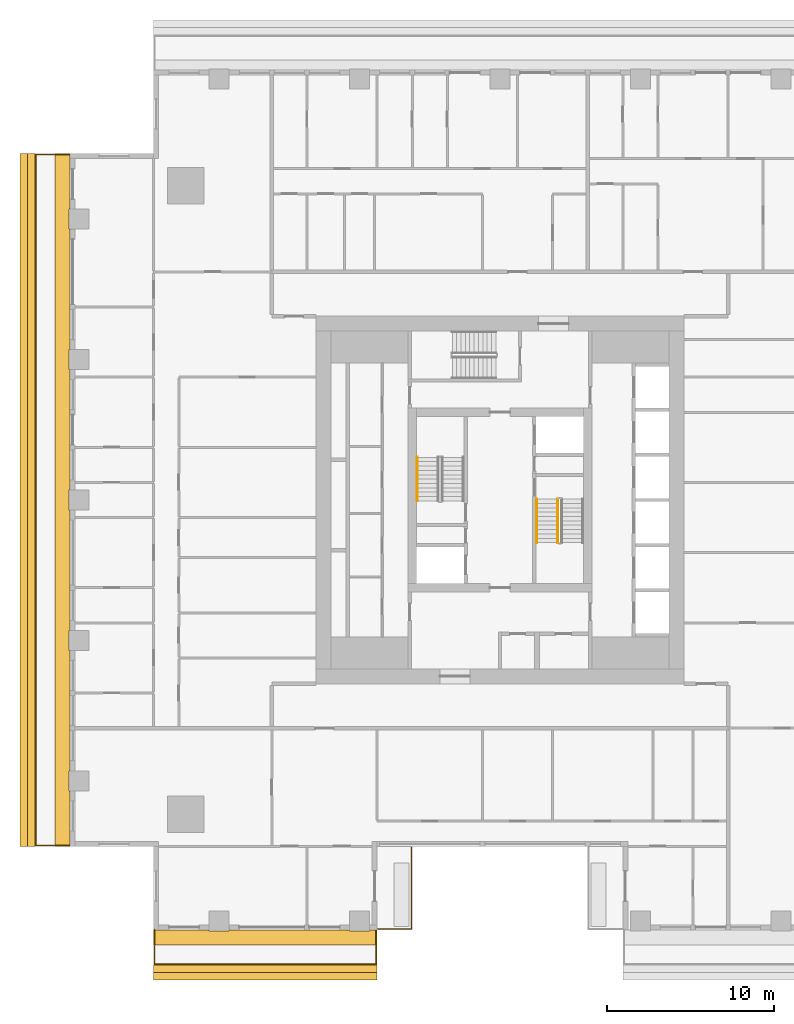
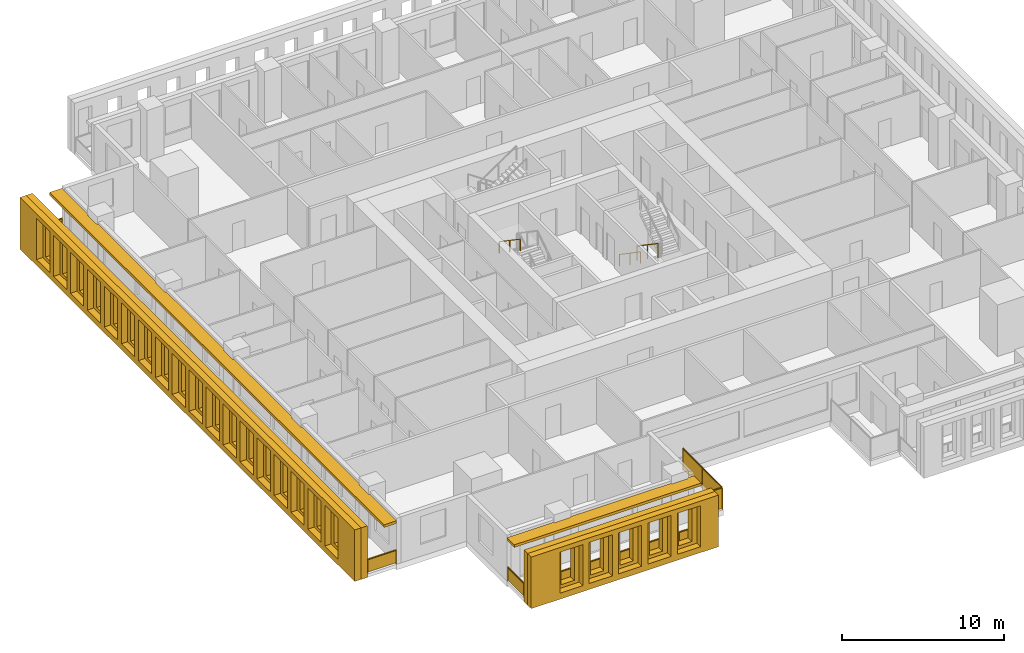
# One storey, part 11 of 15: 6 railings, 6 shading devices.
"""IFC4 building model written with IfcOpenShell, lengths in metres."""

from ifc_helpers import new_model, si_unit, direction, frame, origin, origin_2d, place, context, subcontext, project, spatial, polyline, rectangle, outline, extrude, material, layer, layer_set, type_object, element, save


model = new_model("IFC4")

# Units and contexts
model_context = context("Model", 3, precision=1e-05, world=origin(), true_north=direction((0.0, 1.0)))
body_context = subcontext(model_context, "Body", "Model", "MODEL_VIEW")
ifc_project = project(units=[si_unit("LENGTHUNIT", "METRE"), si_unit("AREAUNIT", "SQUARE_METRE"), si_unit("VOLUMEUNIT", "CUBIC_METRE"), si_unit("PLANEANGLEUNIT", "RADIAN"), si_unit("MASSUNIT", "GRAM", prefix="KILO")], contexts=[model_context])

# Site, building, storey
site_placement = place(None, origin())
site = spatial("IfcSite", under=ifc_project, at=site_placement, CompositionType="ELEMENT")
building_placement = place(site_placement, origin())
building = spatial("IfcBuilding", under=site, at=building_placement, Name="Khepri Terraces", CompositionType="ELEMENT")
storey_placement = place(building_placement, frame((0.0, 0.0, 256.199951171875)))
storey = spatial("IfcBuildingStorey", under=building, at=storey_placement, Name="L61", CompositionType="ELEMENT", Elevation=256.199951171875)

# Railings
ifc_material_1 = material(Name="Stainless steel grade 316", Category="steel")
railing_type_1 = type_object("IfcRailingType", Name="GRD-BAL-1100", PredefinedType="GUARDRAIL", material=ifc_material_1)
railing_1_placement = place(storey_placement, frame((-20.669921875, -25.719970703125, 0.0)))
element("IfcRailing", 1, at=railing_1_placement, inside=storey, type_object=railing_type_1, Name="Balcony guard L61 S", PredefinedType="GUARDRAIL", context=body_context, shape_type="SweptSolid", body=[
    extrude(rectangle(XDim=0.050048828125, YDim=0.06005859375, at=origin_2d()), frame((0.0, 0.0, 1.070068359375), z_axis=(0.0, -1.0, 0.0), x_axis=(1.0, 0.0, 0.0)), (0.0, 0.0, 1.0), 2.050048828125),
    extrude(rectangle(XDim=2.0, YDim=0.011962890625, at=origin_2d()), frame((0.0, -1.02490234375, 0.10009765625), z_axis=(0.0, 0.0, 1.0), x_axis=(0.0, -1.0, 0.0)), (0.0, 0.0, 1.0), 0.93994140625),
    extrude(rectangle(XDim=0.050048828125, YDim=0.06005859375, at=origin_2d()), frame((0.0, -2.050048828125, 1.070068359375), z_axis=(1.0, 0.0, 0.0), x_axis=(0.0, 1.0, 0.0)), (0.0, 0.0, 1.0), 13.27001953125),
    extrude(rectangle(XDim=2.16162109375, YDim=0.011962890625, at=origin_2d()), frame((1.10595703125, -2.050048828125, 0.10009765625), z_axis=(0.0, 0.0, 1.0), x_axis=(1.0, 0.0, 0.0)), (0.0, 0.0, 1.0), 0.93994140625),
    extrude(rectangle(XDim=2.16162109375, YDim=0.011962890625, at=origin_2d()), frame((3.3173828125, -2.050048828125, 0.10009765625), z_axis=(0.0, 0.0, 1.0), x_axis=(1.0, 0.0, 0.0)), (0.0, 0.0, 1.0), 0.93994140625),
    extrude(rectangle(XDim=2.16162109375, YDim=0.011962890625, at=origin_2d()), frame((5.529296875, -2.050048828125, 0.10009765625), z_axis=(0.0, 0.0, 1.0), x_axis=(1.0, 0.0, 0.0)), (0.0, 0.0, 1.0), 0.93994140625),
    extrude(rectangle(XDim=2.16162109375, YDim=0.011962890625, at=origin_2d()), frame((7.740966796875, -2.050048828125, 0.10009765625), z_axis=(0.0, 0.0, 1.0), x_axis=(1.0, 0.0, 0.0)), (0.0, 0.0, 1.0), 0.93994140625),
    extrude(rectangle(XDim=2.16162109375, YDim=0.011962890625, at=origin_2d()), frame((9.95263671875, -2.050048828125, 0.10009765625), z_axis=(0.0, 0.0, 1.0), x_axis=(1.0, 0.0, 0.0)), (0.0, 0.0, 1.0), 0.93994140625),
    extrude(rectangle(XDim=2.16162109375, YDim=0.011962890625, at=origin_2d()), frame((12.1640625, -2.050048828125, 0.10009765625), z_axis=(0.0, 0.0, 1.0), x_axis=(1.0, 0.0, 0.0)), (0.0, 0.0, 1.0), 0.93994140625),
    extrude(rectangle(XDim=0.050048828125, YDim=0.06005859375, at=origin_2d()), frame((13.27001953125, -2.050048828125, 1.070068359375), z_axis=(0.0, 1.0, 0.0), x_axis=(-1.0, 0.0, 0.0)), (0.0, 0.0, 1.0), 2.050048828125),
    extrude(rectangle(XDim=2.0, YDim=0.011962890625, at=origin_2d()), frame((13.27001953125, -1.02490234375, 0.10009765625), z_axis=(0.0, 0.0, 1.0), x_axis=(0.0, 1.0, 0.0)), (0.0, 0.0, 1.0), 0.93994140625),
    extrude(rectangle(XDim=0.050048828125, YDim=0.050048828125, at=origin_2d()), origin(), (0.0, 0.0, 1.0), 1.0400390625),
    extrude(rectangle(XDim=0.050048828125, YDim=0.050048828125, at=origin_2d()), frame((0.0, -2.050048828125, 0.0)), (0.0, 0.0, 1.0), 1.0400390625),
    extrude(rectangle(XDim=0.050048828125, YDim=0.050048828125, at=origin_2d()), frame((2.211669921875, -2.050048828125, 0.0)), (0.0, 0.0, 1.0), 1.0400390625),
    extrude(rectangle(XDim=0.050048828125, YDim=0.050048828125, at=origin_2d()), frame((4.42333984375, -2.050048828125, 0.0)), (0.0, 0.0, 1.0), 1.0400390625),
    extrude(rectangle(XDim=0.050048828125, YDim=0.050048828125, at=origin_2d()), frame((6.635009765625, -2.050048828125, 0.0)), (0.0, 0.0, 1.0), 1.0400390625),
    extrude(rectangle(XDim=0.050048828125, YDim=0.050048828125, at=origin_2d()), frame((8.8466796875, -2.050048828125, 0.0)), (0.0, 0.0, 1.0), 1.0400390625),
    extrude(rectangle(XDim=0.050048828125, YDim=0.050048828125, at=origin_2d()), frame((11.058349609375, -2.050048828125, 0.0)), (0.0, 0.0, 1.0), 1.0400390625),
    extrude(rectangle(XDim=0.050048828125, YDim=0.050048828125, at=origin_2d()), frame((13.27001953125, -2.050048828125, 0.0)), (0.0, 0.0, 1.0), 1.0400390625),
    extrude(rectangle(XDim=0.050048828125, YDim=0.050048828125, at=origin_2d()), frame((13.27001953125, 0.0, 0.0)), (0.0, 0.0, 1.0), 1.0400390625),
])
railing_2_placement = place(storey_placement, frame((-25.719970703125, 20.669921875, 0.0)))
element("IfcRailing", 2, at=railing_2_placement, inside=storey, type_object=railing_type_1, Name="Balcony guard L61 W", PredefinedType="GUARDRAIL", context=body_context, shape_type="SweptSolid", body=[
    extrude(rectangle(XDim=0.050048828125, YDim=0.06005859375, at=origin_2d()), frame((0.0, 0.0, 1.070068359375), z_axis=(-1.0, 0.0, 0.0), x_axis=(0.0, -1.0, 0.0)), (0.0, 0.0, 1.0), 2.050048828125),
    extrude(rectangle(XDim=2.0, YDim=0.011962890625, at=origin_2d()), frame((-1.02490234375, 0.0, 0.10009765625), z_axis=(0.0, 0.0, 1.0), x_axis=(-1.0, 0.0, 0.0)), (0.0, 0.0, 1.0), 0.93994140625),
    extrude(rectangle(XDim=0.050048828125, YDim=0.06005859375, at=origin_2d()), frame((-2.050048828125, 0.0, 1.070068359375), z_axis=(0.0, -1.0, 0.0), x_axis=(1.0, 0.0, 0.0)), (0.0, 0.0, 1.0), 41.33984375),
    extrude(rectangle(XDim=2.24658203125, YDim=0.011962890625, at=origin_2d()), frame((-2.050048828125, -1.1484375, 0.10009765625), z_axis=(0.0, 0.0, 1.0), x_axis=(0.0, -1.0, 0.0)), (0.0, 0.0, 1.0), 0.93994140625),
    extrude(rectangle(XDim=2.24658203125, YDim=0.011962890625, at=origin_2d()), frame((-2.050048828125, -3.445068359375, 0.10009765625), z_axis=(0.0, 0.0, 1.0), x_axis=(0.0, -1.0, 0.0)), (0.0, 0.0, 1.0), 0.93994140625),
    extrude(rectangle(XDim=2.24658203125, YDim=0.011962890625, at=origin_2d()), frame((-2.050048828125, -5.74169921875, 0.10009765625), z_axis=(0.0, 0.0, 1.0), x_axis=(0.0, -1.0, 0.0)), (0.0, 0.0, 1.0), 0.93994140625),
    extrude(rectangle(XDim=2.24658203125, YDim=0.011962890625, at=origin_2d()), frame((-2.050048828125, -8.038330078125, 0.10009765625), z_axis=(0.0, 0.0, 1.0), x_axis=(0.0, -1.0, 0.0)), (0.0, 0.0, 1.0), 0.93994140625),
    extrude(rectangle(XDim=2.24658203125, YDim=0.011962890625, at=origin_2d()), frame((-2.050048828125, -10.3349609375, 0.10009765625), z_axis=(0.0, 0.0, 1.0), x_axis=(0.0, -1.0, 0.0)), (0.0, 0.0, 1.0), 0.93994140625),
    extrude(rectangle(XDim=2.24658203125, YDim=0.011962890625, at=origin_2d()), frame((-2.050048828125, -12.631591796875, 0.10009765625), z_axis=(0.0, 0.0, 1.0), x_axis=(0.0, -1.0, 0.0)), (0.0, 0.0, 1.0), 0.93994140625),
    extrude(rectangle(XDim=2.24658203125, YDim=0.011962890625, at=origin_2d()), frame((-2.050048828125, -14.92822265625, 0.10009765625), z_axis=(0.0, 0.0, 1.0), x_axis=(0.0, -1.0, 0.0)), (0.0, 0.0, 1.0), 0.93994140625),
    extrude(rectangle(XDim=2.24658203125, YDim=0.011962890625, at=origin_2d()), frame((-2.050048828125, -17.224853515625, 0.10009765625), z_axis=(0.0, 0.0, 1.0), x_axis=(0.0, -1.0, 0.0)), (0.0, 0.0, 1.0), 0.93994140625),
    extrude(rectangle(XDim=2.24658203125, YDim=0.011962890625, at=origin_2d()), frame((-2.050048828125, -19.521484375, 0.10009765625), z_axis=(0.0, 0.0, 1.0), x_axis=(0.0, -1.0, 0.0)), (0.0, 0.0, 1.0), 0.93994140625),
    extrude(rectangle(XDim=2.24658203125, YDim=0.011962890625, at=origin_2d()), frame((-2.050048828125, -21.818359375, 0.10009765625), z_axis=(0.0, 0.0, 1.0), x_axis=(0.0, -1.0, 0.0)), (0.0, 0.0, 1.0), 0.93994140625),
    extrude(rectangle(XDim=2.24658203125, YDim=0.011962890625, at=origin_2d()), frame((-2.050048828125, -24.114990234375, 0.10009765625), z_axis=(0.0, 0.0, 1.0), x_axis=(0.0, -1.0, 0.0)), (0.0, 0.0, 1.0), 0.93994140625),
    extrude(rectangle(XDim=2.24658203125, YDim=0.011962890625, at=origin_2d()), frame((-2.050048828125, -26.41162109375, 0.10009765625), z_axis=(0.0, 0.0, 1.0), x_axis=(0.0, -1.0, 0.0)), (0.0, 0.0, 1.0), 0.93994140625),
    extrude(rectangle(XDim=2.24658203125, YDim=0.011962890625, at=origin_2d()), frame((-2.050048828125, -28.708251953125, 0.10009765625), z_axis=(0.0, 0.0, 1.0), x_axis=(0.0, -1.0, 0.0)), (0.0, 0.0, 1.0), 0.93994140625),
    extrude(rectangle(XDim=2.24658203125, YDim=0.011962890625, at=origin_2d()), frame((-2.050048828125, -31.0048828125, 0.10009765625), z_axis=(0.0, 0.0, 1.0), x_axis=(0.0, -1.0, 0.0)), (0.0, 0.0, 1.0), 0.93994140625),
    extrude(rectangle(XDim=2.24658203125, YDim=0.011962890625, at=origin_2d()), frame((-2.050048828125, -33.301513671875, 0.10009765625), z_axis=(0.0, 0.0, 1.0), x_axis=(0.0, -1.0, 0.0)), (0.0, 0.0, 1.0), 0.93994140625),
    extrude(rectangle(XDim=2.24658203125, YDim=0.011962890625, at=origin_2d()), frame((-2.050048828125, -35.59814453125, 0.10009765625), z_axis=(0.0, 0.0, 1.0), x_axis=(0.0, -1.0, 0.0)), (0.0, 0.0, 1.0), 0.93994140625),
    extrude(rectangle(XDim=2.24658203125, YDim=0.011962890625, at=origin_2d()), frame((-2.050048828125, -37.894775390625, 0.10009765625), z_axis=(0.0, 0.0, 1.0), x_axis=(0.0, -1.0, 0.0)), (0.0, 0.0, 1.0), 0.93994140625),
    extrude(rectangle(XDim=2.24658203125, YDim=0.011962890625, at=origin_2d()), frame((-2.050048828125, -40.19140625, 0.10009765625), z_axis=(0.0, 0.0, 1.0), x_axis=(0.0, -1.0, 0.0)), (0.0, 0.0, 1.0), 0.93994140625),
    extrude(rectangle(XDim=0.050048828125, YDim=0.06005859375, at=origin_2d()), frame((-2.050048828125, -41.33984375, 1.070068359375), z_axis=(1.0, 0.0, 0.0), x_axis=(0.0, 1.0, 0.0)), (0.0, 0.0, 1.0), 2.050048828125),
    extrude(rectangle(XDim=2.0, YDim=0.011962890625, at=origin_2d()), frame((-1.02490234375, -41.33984375, 0.10009765625), z_axis=(0.0, 0.0, 1.0), x_axis=(1.0, 0.0, 0.0)), (0.0, 0.0, 1.0), 0.93994140625),
    extrude(rectangle(XDim=0.050048828125, YDim=0.050048828125, at=origin_2d()), origin(), (0.0, 0.0, 1.0), 1.0400390625),
    extrude(rectangle(XDim=0.050048828125, YDim=0.050048828125, at=origin_2d()), frame((-2.050048828125, 0.0, 0.0)), (0.0, 0.0, 1.0), 1.0400390625),
    extrude(rectangle(XDim=0.050048828125, YDim=0.050048828125, at=origin_2d()), frame((-2.050048828125, -2.296630859375, 0.0)), (0.0, 0.0, 1.0), 1.0400390625),
    extrude(rectangle(XDim=0.050048828125, YDim=0.050048828125, at=origin_2d()), frame((-2.050048828125, -4.59326171875, 0.0)), (0.0, 0.0, 1.0), 1.0400390625),
    extrude(rectangle(XDim=0.050048828125, YDim=0.050048828125, at=origin_2d()), frame((-2.050048828125, -6.889892578125, 0.0)), (0.0, 0.0, 1.0), 1.0400390625),
    extrude(rectangle(XDim=0.050048828125, YDim=0.050048828125, at=origin_2d()), frame((-2.050048828125, -9.1865234375, 0.0)), (0.0, 0.0, 1.0), 1.0400390625),
    extrude(rectangle(XDim=0.050048828125, YDim=0.050048828125, at=origin_2d()), frame((-2.050048828125, -11.4833984375, 0.0)), (0.0, 0.0, 1.0), 1.0400390625),
    extrude(rectangle(XDim=0.050048828125, YDim=0.050048828125, at=origin_2d()), frame((-2.050048828125, -13.780029296875, 0.0)), (0.0, 0.0, 1.0), 1.0400390625),
    extrude(rectangle(XDim=0.050048828125, YDim=0.050048828125, at=origin_2d()), frame((-2.050048828125, -16.07666015625, 0.0)), (0.0, 0.0, 1.0), 1.0400390625),
    extrude(rectangle(XDim=0.050048828125, YDim=0.050048828125, at=origin_2d()), frame((-2.050048828125, -18.373291015625, 0.0)), (0.0, 0.0, 1.0), 1.0400390625),
    extrude(rectangle(XDim=0.050048828125, YDim=0.050048828125, at=origin_2d()), frame((-2.050048828125, -20.669921875, 0.0)), (0.0, 0.0, 1.0), 1.0400390625),
    extrude(rectangle(XDim=0.050048828125, YDim=0.050048828125, at=origin_2d()), frame((-2.050048828125, -22.966552734375, 0.0)), (0.0, 0.0, 1.0), 1.0400390625),
    extrude(rectangle(XDim=0.050048828125, YDim=0.050048828125, at=origin_2d()), frame((-2.050048828125, -25.26318359375, 0.0)), (0.0, 0.0, 1.0), 1.0400390625),
    extrude(rectangle(XDim=0.050048828125, YDim=0.050048828125, at=origin_2d()), frame((-2.050048828125, -27.559814453125, 0.0)), (0.0, 0.0, 1.0), 1.0400390625),
    extrude(rectangle(XDim=0.050048828125, YDim=0.050048828125, at=origin_2d()), frame((-2.050048828125, -29.8564453125, 0.0)), (0.0, 0.0, 1.0), 1.0400390625),
    extrude(rectangle(XDim=0.050048828125, YDim=0.050048828125, at=origin_2d()), frame((-2.050048828125, -32.1533203125, 0.0)), (0.0, 0.0, 1.0), 1.0400390625),
    extrude(rectangle(XDim=0.050048828125, YDim=0.050048828125, at=origin_2d()), frame((-2.050048828125, -34.449951171875, 0.0)), (0.0, 0.0, 1.0), 1.0400390625),
    extrude(rectangle(XDim=0.050048828125, YDim=0.050048828125, at=origin_2d()), frame((-2.050048828125, -36.74658203125, 0.0)), (0.0, 0.0, 1.0), 1.0400390625),
    extrude(rectangle(XDim=0.050048828125, YDim=0.050048828125, at=origin_2d()), frame((-2.050048828125, -39.043212890625, 0.0)), (0.0, 0.0, 1.0), 1.0400390625),
    extrude(rectangle(XDim=0.050048828125, YDim=0.050048828125, at=origin_2d()), frame((-2.050048828125, -41.33984375, 0.0)), (0.0, 0.0, 1.0), 1.0400390625),
    extrude(rectangle(XDim=0.050048828125, YDim=0.050048828125, at=origin_2d()), frame((0.0, -41.33984375, 0.0)), (0.0, 0.0, 1.0), 1.0400390625),
])
railing_type_2 = type_object("IfcRailingType", Name="GRD-TERR-1700", PredefinedType="GUARDRAIL", material=ifc_material_1)
railing_3_placement = place(storey_placement, frame((-5.300048828125, -20.7900390625, 0.0)))
element("IfcRailing", 3, at=railing_3_placement, inside=storey, type_object=railing_type_2, Name="Terrace guard L61", PredefinedType="GUARDRAIL", context=body_context, shape_type="SweptSolid", body=[
    extrude(rectangle(XDim=0.050048828125, YDim=0.06005859375, at=origin_2d()), frame((0.0, 0.0, 1.669921875), z_axis=(0.0, -1.0, 0.0), x_axis=(1.0, 0.0, 0.0)), (0.0, 0.0, 1.0), 4.8798828125),
    extrude(rectangle(XDim=2.389892578125, YDim=0.011962890625, at=origin_2d()), frame((0.0, -1.219970703125, 0.10009765625), z_axis=(0.0, 0.0, 1.0), x_axis=(0.0, -1.0, 0.0)), (0.0, 0.0, 1.0), 1.539794921875),
    extrude(rectangle(XDim=2.389892578125, YDim=0.011962890625, at=origin_2d()), frame((0.0, -3.659912109375, 0.10009765625), z_axis=(0.0, 0.0, 1.0), x_axis=(0.0, -1.0, 0.0)), (0.0, 0.0, 1.0), 1.539794921875),
    extrude(rectangle(XDim=0.050048828125, YDim=0.06005859375, at=origin_2d()), frame((0.0, -4.8798828125, 1.669921875), z_axis=(-1.0, 0.0, 0.0), x_axis=(0.0, -1.0, 0.0)), (0.0, 0.0, 1.0), 1.97998046875),
    extrude(rectangle(XDim=1.929931640625, YDim=0.011962890625, at=origin_2d()), frame((-0.989990234375, -4.8798828125, 0.10009765625), z_axis=(0.0, 0.0, 1.0), x_axis=(-1.0, 0.0, 0.0)), (0.0, 0.0, 1.0), 1.539794921875),
    extrude(rectangle(XDim=0.050048828125, YDim=0.050048828125, at=origin_2d()), origin(), (0.0, 0.0, 1.0), 1.639892578125),
    extrude(rectangle(XDim=0.050048828125, YDim=0.050048828125, at=origin_2d()), frame((0.0, -2.43994140625, 0.0)), (0.0, 0.0, 1.0), 1.639892578125),
    extrude(rectangle(XDim=0.050048828125, YDim=0.050048828125, at=origin_2d()), frame((0.0, -4.8798828125, 0.0)), (0.0, 0.0, 1.0), 1.639892578125),
    extrude(rectangle(XDim=0.050048828125, YDim=0.050048828125, at=origin_2d()), frame((-1.97998046875, -4.8798828125, 0.0)), (0.0, 0.0, 1.0), 1.639892578125),
])
ifc_material_2 = material(Name="Stainless steel 316", Category="steel")
railing_type_3 = type_object("IfcRailingType", Name="RL-CORE-GUARD", PredefinedType="GUARDRAIL", material=ifc_material_2)
railing_4_placement = place(storey_placement, frame((3.449951171875, 0.050048828125, 0.17724609375)))
element("IfcRailing", 4, at=railing_4_placement, inside=storey, type_object=railing_type_3, Name="L61 ST-2 stair guard 1", PredefinedType="GUARDRAIL", context=body_context, shape_type="SweptSolid", body=[
    extrude(rectangle(XDim=0.050048828125, YDim=0.06005859375, at=origin_2d()), frame((0.0, 0.0, 1.070068359375), z_axis=(0.0, -0.826240473404, 0.563317565952), x_axis=(1.0, 0.0, 0.0)), (0.0, 0.0, 1.0), 3.14697265625),
    extrude(rectangle(XDim=0.050048828125, YDim=0.050048828125, at=origin_2d()), origin(), (0.0, 0.0, 1.0), 1.0400390625),
    extrude(rectangle(XDim=0.050048828125, YDim=0.050048828125, at=origin_2d()), frame((0.0, -1.300048828125, 0.88623046875)), (0.0, 0.0, 1.0), 1.0400390625),
    extrude(rectangle(XDim=0.050048828125, YDim=0.050048828125, at=origin_2d()), frame((0.0, -2.60009765625, 1.772705078125)), (0.0, 0.0, 1.0), 1.0400390625),
])
railing_type_4 = type_object("IfcRailingType", Name="RL-CORE-HANDRAIL", PredefinedType="HANDRAIL", material=ifc_material_2)
for number, where, name in (
    (5, (-4.949951171875, 2.550048828125, 2.12744140625), "L61 ST-1 stair handrail 2"),
    (6, (2.199951171875, 0.050048828125, 0.17724609375), "L61 ST-2 stair handrail 1"),
):
    element("IfcRailing", number, at=place(storey_placement, frame(where)), inside=storey, type_object=railing_type_4, Name=name, PredefinedType="HANDRAIL", context=body_context, shape_type="SweptSolid", body=[
        extrude(rectangle(XDim=0.050048828125, YDim=0.050048828125, at=origin_2d()), frame((0.0, 0.0, 0.875), z_axis=(0.0, -0.826240473404, 0.563317565952), x_axis=(1.0, 0.0, 0.0)), (0.0, 0.0, 1.0), 3.14697265625),
        extrude(rectangle(XDim=0.050048828125, YDim=0.050048828125, at=origin_2d()), origin(), (0.0, 0.0, 1.0), 0.849853515625),
        extrude(rectangle(XDim=0.050048828125, YDim=0.050048828125, at=origin_2d()), frame((0.0, -1.300048828125, 0.88623046875)), (0.0, 0.0, 1.0), 0.849853515625),
        extrude(rectangle(XDim=0.050048828125, YDim=0.050048828125, at=origin_2d()), frame((0.0, -2.60009765625, 1.772705078125)), (0.0, 0.0, 1.0), 0.849853515625),
    ])

# Shading devices
ifc_material_3 = material(Name="Precast concrete C50/60 warm stone", Category="masonry")
shading_device_type_1 = type_object("IfcShadingDeviceType", Name="SCR-CELL-INNER-450", PredefinedType="USERDEFINED", material=ifc_material_3)
shading_device_1_placement = place(storey_placement, frame((-20.719970703125, -27.820068359375, -0.25), z_axis=(0.0, -1.0, 0.0), x_axis=(1.0, 0.0, 0.0)))
element("IfcShadingDevice", 7, at=shading_device_1_placement, inside=storey, type_object=shading_device_type_1, Name="Cell screen L61 S in", ObjectType="SCREEN", PredefinedType="USERDEFINED", context=body_context, shape_type="SweptSolid", body=[
    extrude(outline(polyline([(0.0, 0.0), (13.3701171875, 0.0), (13.3701171875, 3.89990234375), (0.0, 3.89990234375), (0.0, 0.0)]), holes=[polyline([(0.297607421875, 0.699951171875), (1.242431640625, 0.699951171875), (1.242431640625, 3.300048828125), (0.297607421875, 3.300048828125), (0.297607421875, 0.699951171875)]), polyline([(2.3974609375, 0.699951171875), (3.342529296875, 0.699951171875), (3.342529296875, 3.300048828125), (2.3974609375, 3.300048828125), (2.3974609375, 0.699951171875)]), polyline([(4.49755859375, 0.699951171875), (5.4423828125, 0.699951171875), (5.4423828125, 3.300048828125), (4.49755859375, 3.300048828125), (4.49755859375, 0.699951171875)]), polyline([(6.597412109375, 0.699951171875), (7.54248046875, 0.699951171875), (7.54248046875, 3.300048828125), (6.597412109375, 3.300048828125), (6.597412109375, 0.699951171875)]), polyline([(8.697509765625, 0.699951171875), (9.642578125, 0.699951171875), (9.642578125, 3.300048828125), (8.697509765625, 3.300048828125), (8.697509765625, 0.699951171875)]), polyline([(10.797607421875, 0.699951171875), (11.742431640625, 0.699951171875), (11.742431640625, 3.300048828125), (10.797607421875, 3.300048828125), (10.797607421875, 0.699951171875)])]), origin(), (0.0, 0.0, 1.0), 0.449951171875),
])
shading_device_2_placement = place(storey_placement, frame((-27.820068359375, 20.719970703125, -0.25), z_axis=(-1.0, 0.0, 0.0), x_axis=(0.0, -1.0, 0.0)))
element("IfcShadingDevice", 8, at=shading_device_2_placement, inside=storey, type_object=shading_device_type_1, Name="Cell screen L61 W in", ObjectType="SCREEN", PredefinedType="USERDEFINED", context=body_context, shape_type="SweptSolid", body=[
    extrude(outline(polyline([(0.0, 0.0), (41.43994140625, 0.0), (41.43994140625, 3.89990234375), (0.0, 3.89990234375), (0.0, 0.0)]), holes=[polyline([(0.297607421875, 0.699951171875), (1.242431640625, 0.699951171875), (1.242431640625, 3.300048828125), (0.297607421875, 3.300048828125), (0.297607421875, 0.699951171875)]), polyline([(2.3974609375, 0.699951171875), (3.342529296875, 0.699951171875), (3.342529296875, 3.300048828125), (2.3974609375, 3.300048828125), (2.3974609375, 0.699951171875)]), polyline([(4.49755859375, 0.699951171875), (5.4423828125, 0.699951171875), (5.4423828125, 3.300048828125), (4.49755859375, 3.300048828125), (4.49755859375, 0.699951171875)]), polyline([(6.597412109375, 0.699951171875), (7.54248046875, 0.699951171875), (7.54248046875, 3.300048828125), (6.597412109375, 3.300048828125), (6.597412109375, 0.699951171875)]), polyline([(8.697509765625, 0.699951171875), (9.642578125, 0.699951171875), (9.642578125, 3.300048828125), (8.697509765625, 3.300048828125), (8.697509765625, 0.699951171875)]), polyline([(10.797607421875, 0.699951171875), (11.742431640625, 0.699951171875), (11.742431640625, 3.300048828125), (10.797607421875, 3.300048828125), (10.797607421875, 0.699951171875)]), polyline([(12.8974609375, 0.699951171875), (13.842529296875, 0.699951171875), (13.842529296875, 3.300048828125), (12.8974609375, 3.300048828125), (12.8974609375, 0.699951171875)]), polyline([(14.99755859375, 0.699951171875), (15.9423828125, 0.699951171875), (15.9423828125, 3.300048828125), (14.99755859375, 3.300048828125), (14.99755859375, 0.699951171875)]), polyline([(17.097412109375, 0.699951171875), (18.04248046875, 0.699951171875), (18.04248046875, 3.300048828125), (17.097412109375, 3.300048828125), (17.097412109375, 0.699951171875)]), polyline([(19.197509765625, 0.699951171875), (20.142578125, 0.699951171875), (20.142578125, 3.300048828125), (19.197509765625, 3.300048828125), (19.197509765625, 0.699951171875)]), polyline([(21.297607421875, 0.699951171875), (22.242431640625, 0.699951171875), (22.242431640625, 3.300048828125), (21.297607421875, 3.300048828125), (21.297607421875, 0.699951171875)]), polyline([(23.3974609375, 0.699951171875), (24.342529296875, 0.699951171875), (24.342529296875, 3.300048828125), (23.3974609375, 3.300048828125), (23.3974609375, 0.699951171875)]), polyline([(25.49755859375, 0.699951171875), (26.4423828125, 0.699951171875), (26.4423828125, 3.300048828125), (25.49755859375, 3.300048828125), (25.49755859375, 0.699951171875)]), polyline([(27.597412109375, 0.699951171875), (28.54248046875, 0.699951171875), (28.54248046875, 3.300048828125), (27.597412109375, 3.300048828125), (27.597412109375, 0.699951171875)]), polyline([(29.697509765625, 0.699951171875), (30.642578125, 0.699951171875), (30.642578125, 3.300048828125), (29.697509765625, 3.300048828125), (29.697509765625, 0.699951171875)]), polyline([(31.797607421875, 0.699951171875), (32.742431640625, 0.699951171875), (32.742431640625, 3.300048828125), (31.797607421875, 3.300048828125), (31.797607421875, 0.699951171875)]), polyline([(33.8974609375, 0.699951171875), (34.842529296875, 0.699951171875), (34.842529296875, 3.300048828125), (33.8974609375, 3.300048828125), (33.8974609375, 0.699951171875)]), polyline([(35.99755859375, 0.699951171875), (36.9423828125, 0.699951171875), (36.9423828125, 3.300048828125), (35.99755859375, 3.300048828125), (35.99755859375, 0.699951171875)]), polyline([(38.097412109375, 0.699951171875), (39.04248046875, 0.699951171875), (39.04248046875, 3.300048828125), (38.097412109375, 3.300048828125), (38.097412109375, 0.699951171875)]), polyline([(40.197509765625, 0.699951171875), (41.142578125, 0.699951171875), (41.142578125, 3.300048828125), (40.197509765625, 3.300048828125), (40.197509765625, 0.699951171875)])]), origin(), (0.0, 0.0, 1.0), 0.449951171875),
])
shading_device_type_2 = type_object("IfcShadingDeviceType", Name="SCR-CELL-OUTER-450", PredefinedType="USERDEFINED", material=ifc_material_3)
shading_device_3_placement = place(storey_placement, frame((-20.719970703125, -28.27001953125, -0.25), z_axis=(0.0, -1.0, 0.0), x_axis=(1.0, 0.0, 0.0)))
element("IfcShadingDevice", 9, at=shading_device_3_placement, inside=storey, type_object=shading_device_type_2, Name="Cell screen L61 S out", ObjectType="SCREEN", PredefinedType="USERDEFINED", context=body_context, shape_type="SweptSolid", body=[
    extrude(outline(polyline([(0.0, 0.0), (13.3701171875, 0.0), (13.3701171875, 3.89990234375), (0.0, 3.89990234375), (0.0, 0.0)]), holes=[polyline([(2.047607421875, 0.449951171875), (3.6923828125, 0.449951171875), (3.6923828125, 3.550048828125), (2.047607421875, 3.550048828125), (2.047607421875, 0.449951171875)]), polyline([(4.1474609375, 0.449951171875), (5.79248046875, 0.449951171875), (5.79248046875, 3.550048828125), (4.1474609375, 3.550048828125), (4.1474609375, 0.449951171875)]), polyline([(6.24755859375, 0.449951171875), (7.892578125, 0.449951171875), (7.892578125, 3.550048828125), (6.24755859375, 3.550048828125), (6.24755859375, 0.449951171875)]), polyline([(8.347412109375, 0.449951171875), (9.992431640625, 0.449951171875), (9.992431640625, 3.550048828125), (8.347412109375, 3.550048828125), (8.347412109375, 0.449951171875)]), polyline([(10.447509765625, 0.449951171875), (12.092529296875, 0.449951171875), (12.092529296875, 3.550048828125), (10.447509765625, 3.550048828125), (10.447509765625, 0.449951171875)])]), origin(), (0.0, 0.0, 1.0), 0.449951171875),
])
shading_device_4_placement = place(storey_placement, frame((-28.27001953125, 20.719970703125, -0.25), z_axis=(-1.0, 0.0, 0.0), x_axis=(0.0, -1.0, 0.0)))
element("IfcShadingDevice", 10, at=shading_device_4_placement, inside=storey, type_object=shading_device_type_2, Name="Cell screen L61 W out", ObjectType="SCREEN", PredefinedType="USERDEFINED", context=body_context, shape_type="SweptSolid", body=[
    extrude(outline(polyline([(0.0, 0.0), (41.43994140625, 0.0), (41.43994140625, 3.89990234375), (0.0, 3.89990234375), (0.0, 0.0)]), holes=[polyline([(2.047607421875, 0.449951171875), (3.6923828125, 0.449951171875), (3.6923828125, 3.550048828125), (2.047607421875, 3.550048828125), (2.047607421875, 0.449951171875)]), polyline([(4.1474609375, 0.449951171875), (5.79248046875, 0.449951171875), (5.79248046875, 3.550048828125), (4.1474609375, 3.550048828125), (4.1474609375, 0.449951171875)]), polyline([(6.24755859375, 0.449951171875), (7.892578125, 0.449951171875), (7.892578125, 3.550048828125), (6.24755859375, 3.550048828125), (6.24755859375, 0.449951171875)]), polyline([(8.347412109375, 0.449951171875), (9.992431640625, 0.449951171875), (9.992431640625, 3.550048828125), (8.347412109375, 3.550048828125), (8.347412109375, 0.449951171875)]), polyline([(10.447509765625, 0.449951171875), (12.092529296875, 0.449951171875), (12.092529296875, 3.550048828125), (10.447509765625, 3.550048828125), (10.447509765625, 0.449951171875)]), polyline([(12.547607421875, 0.449951171875), (14.1923828125, 0.449951171875), (14.1923828125, 3.550048828125), (12.547607421875, 3.550048828125), (12.547607421875, 0.449951171875)]), polyline([(14.6474609375, 0.449951171875), (16.29248046875, 0.449951171875), (16.29248046875, 3.550048828125), (14.6474609375, 3.550048828125), (14.6474609375, 0.449951171875)]), polyline([(16.74755859375, 0.449951171875), (18.392578125, 0.449951171875), (18.392578125, 3.550048828125), (16.74755859375, 3.550048828125), (16.74755859375, 0.449951171875)]), polyline([(18.847412109375, 0.449951171875), (20.492431640625, 0.449951171875), (20.492431640625, 3.550048828125), (18.847412109375, 3.550048828125), (18.847412109375, 0.449951171875)]), polyline([(20.947509765625, 0.449951171875), (22.592529296875, 0.449951171875), (22.592529296875, 3.550048828125), (20.947509765625, 3.550048828125), (20.947509765625, 0.449951171875)]), polyline([(23.047607421875, 0.449951171875), (24.6923828125, 0.449951171875), (24.6923828125, 3.550048828125), (23.047607421875, 3.550048828125), (23.047607421875, 0.449951171875)]), polyline([(25.1474609375, 0.449951171875), (26.79248046875, 0.449951171875), (26.79248046875, 3.550048828125), (25.1474609375, 3.550048828125), (25.1474609375, 0.449951171875)]), polyline([(27.24755859375, 0.449951171875), (28.892578125, 0.449951171875), (28.892578125, 3.550048828125), (27.24755859375, 3.550048828125), (27.24755859375, 0.449951171875)]), polyline([(29.347412109375, 0.449951171875), (30.992431640625, 0.449951171875), (30.992431640625, 3.550048828125), (29.347412109375, 3.550048828125), (29.347412109375, 0.449951171875)]), polyline([(31.447509765625, 0.449951171875), (33.092529296875, 0.449951171875), (33.092529296875, 3.550048828125), (31.447509765625, 3.550048828125), (31.447509765625, 0.449951171875)]), polyline([(33.547607421875, 0.449951171875), (35.1923828125, 0.449951171875), (35.1923828125, 3.550048828125), (33.547607421875, 3.550048828125), (33.547607421875, 0.449951171875)]), polyline([(35.6474609375, 0.449951171875), (37.29248046875, 0.449951171875), (37.29248046875, 3.550048828125), (35.6474609375, 3.550048828125), (35.6474609375, 0.449951171875)]), polyline([(37.74755859375, 0.449951171875), (39.392578125, 0.449951171875), (39.392578125, 3.550048828125), (37.74755859375, 3.550048828125), (37.74755859375, 0.449951171875)])]), origin(), (0.0, 0.0, 1.0), 0.449951171875),
])
ifc_layer = layer(ifc_material_3, 0.199951171875, Name="Precast concrete C50/60 warm stone", Category="masonry")
ifc_layer_set = layer_set([ifc_layer], Name="Precast concrete C50/60 warm stone")
shading_device_type_3 = type_object("IfcShadingDeviceType", Name="SSH-BAND-STONE-200", PredefinedType="USERDEFINED", material=ifc_layer_set)
shading_device_5_placement = place(storey_placement, frame((0.0, 0.0, 3.10009765625)))
element("IfcShadingDevice", 11, at=shading_device_5_placement, inside=storey, type_object=shading_device_type_3, Name="Sunshade band L61 S", ObjectType="SUNSHADE", PredefinedType="USERDEFINED", context=body_context, shape_type="SweptSolid", body=[
    extrude(outline(polyline([(-17.39990234375, -25.719970703125), (-20.719970703125, -25.719970703125), (-20.719970703125, -26.6201171875), (-7.35009765625, -26.6201171875), (-7.35009765625, -25.719970703125), (-7.800048828125, -25.719970703125), (-7.800048828125, -25.800048828125), (-9.0, -25.800048828125), (-9.0, -25.719970703125), (-16.199951171875, -25.719970703125), (-16.199951171875, -25.800048828125), (-17.39990234375, -25.800048828125), (-17.39990234375, -25.719970703125)])), origin(), (0.0, 0.0, 1.0), 0.199951171875),
])
shading_device_6_placement = place(storey_placement, frame((0.0, 0.0, 3.10009765625)))
element("IfcShadingDevice", 12, at=shading_device_6_placement, inside=storey, type_object=shading_device_type_3, Name="Sunshade band L61 W", ObjectType="SUNSHADE", PredefinedType="USERDEFINED", context=body_context, shape_type="SweptSolid", body=[
    extrude(outline(polyline([(-25.719970703125, 17.39990234375), (-25.719970703125, 20.719970703125), (-26.6201171875, 20.719970703125), (-26.6201171875, -20.719970703125), (-25.719970703125, -20.719970703125), (-25.719970703125, -17.39990234375), (-25.800048828125, -17.39990234375), (-25.800048828125, -16.199951171875), (-25.719970703125, -16.199951171875), (-25.719970703125, -9.0), (-25.800048828125, -9.0), (-25.800048828125, -7.800048828125), (-25.719970703125, -7.800048828125), (-25.719970703125, -0.60009765625), (-25.800048828125, -0.60009765625), (-25.800048828125, 0.60009765625), (-25.719970703125, 0.60009765625), (-25.719970703125, 7.800048828125), (-25.800048828125, 7.800048828125), (-25.800048828125, 9.0), (-25.719970703125, 9.0), (-25.719970703125, 16.199951171875), (-25.800048828125, 16.199951171875), (-25.800048828125, 17.39990234375), (-25.719970703125, 17.39990234375)])), origin(), (0.0, 0.0, 1.0), 0.199951171875),
])

save(model, "model.ifc")
